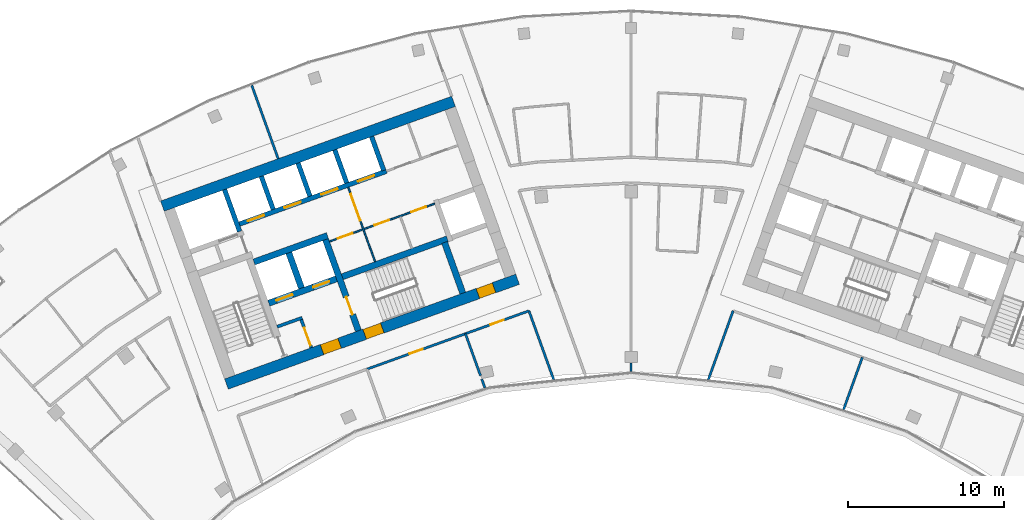
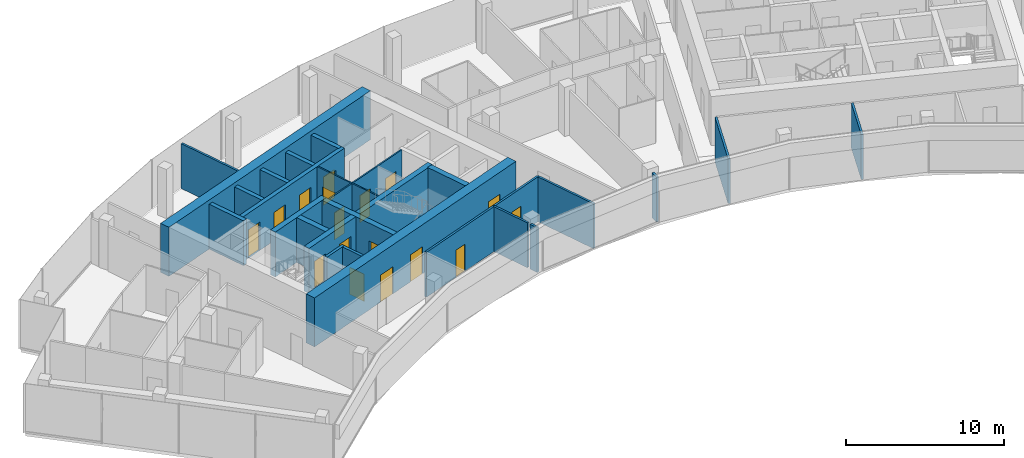
# One storey, part 13 of 18: 26 walls, 17 doors, 17 openings.
"""IFC4 building model written with IfcOpenShell, lengths in metres."""

from ifc_helpers import new_model, si_unit, direction, frame, frame_2d, origin, place, context, subcontext, project, spatial, rectangle, extrude, material, layer, layer_set, type_object, element, fill, save


model = new_model("IFC4")

# Units and contexts
model_context = context("Model", 3, precision=1e-05, world=origin(), true_north=direction((0.0, 1.0)))
body_context = subcontext(model_context, "Body", "Model", "MODEL_VIEW")
ifc_project = project(units=[si_unit("LENGTHUNIT", "METRE"), si_unit("AREAUNIT", "SQUARE_METRE"), si_unit("VOLUMEUNIT", "CUBIC_METRE"), si_unit("PLANEANGLEUNIT", "RADIAN"), si_unit("MASSUNIT", "GRAM", prefix="KILO")], contexts=[model_context])

# Site, building, storey
site_placement = place(None, origin())
site = spatial("IfcSite", under=ifc_project, at=site_placement, CompositionType="ELEMENT")
building_placement = place(site_placement, origin())
building = spatial("IfcBuilding", under=site, at=building_placement, Name="Stone Belt Terrace Tower", CompositionType="ELEMENT")
storey_placement = place(building_placement, frame((0.0, 0.0, 277.0)))
storey = spatial("IfcBuildingStorey", under=building, at=storey_placement, Name="L67", CompositionType="ELEMENT", Elevation=277.0)

# Wall, openings, doors
ifc_material_1 = material(Name="Plasterboard partition")
ifc_layer_1 = layer(ifc_material_1, 0.10009765625)
ifc_layer_set_1 = layer_set([ifc_layer_1], Name="Core partition 100")
wall_type_1 = type_object("IfcWallType", Name="Core partition 100", PredefinedType="PARTITIONING", material=ifc_layer_set_1)
wall_1_placement = place(storey_placement, frame((-19.29052734375, 51.829833984375, 0.0), z_axis=(0.0, 0.0, 1.0), x_axis=(0.94092179465, 0.338623945331, 0.0)))
wall_1 = element("IfcWall", 1, at=wall_1_placement, inside=storey, type_object=wall_type_1, Name="Core A wall", PredefinedType="PARTITIONING", context=body_context, shape_type="SweptSolid", body=[
    extrude(rectangle(XDim=7.14990234375, YDim=0.10009765625, at=frame_2d((3.574951171875, 0.0))), origin(), (0.0, 0.0, 1.0), 3.47998046875),
])
opening_1_placement = place(wall_1_placement, frame((0.550048828125, 0.0, 0.0)))
opening_1 = element("IfcOpeningElement", 2, at=opening_1_placement, cuts=wall_1, Name="Opening L67-C03", PredefinedType="OPENING", context=body_context, shape_type="SweptSolid", body=[
    extrude(rectangle(XDim=1.0, YDim=2.10009765625, at=frame_2d((0.5, 1.050048828125))), frame((0.0, 0.06005859375, 0.0), z_axis=(0.0, -1.0, 0.0), x_axis=(1.0, 0.0, 0.0)), (0.0, 0.0, 1.0), 0.1201171875),
])
opening_2_placement = place(wall_1_placement, frame((3.050048828125, 0.0, 0.0)))
opening_2 = element("IfcOpeningElement", 3, at=opening_2_placement, cuts=wall_1, Name="Opening L67-C04", PredefinedType="OPENING", context=body_context, shape_type="SweptSolid", body=[
    extrude(rectangle(XDim=1.0, YDim=2.10009765625, at=frame_2d((0.5, 1.050048828125))), frame((0.0, 0.06005859375, 0.0), z_axis=(0.0, -1.0, 0.0), x_axis=(1.0, 0.0, 0.0)), (0.0, 0.0, 1.0), 0.1201171875),
])
opening_3_placement = place(wall_1_placement, frame((5.550048828125, 0.0, 0.0)))
opening_3 = element("IfcOpeningElement", 4, at=opening_3_placement, cuts=wall_1, Name="Opening L67-C05", PredefinedType="OPENING", context=body_context, shape_type="SweptSolid", body=[
    extrude(rectangle(XDim=1.0, YDim=2.10009765625, at=frame_2d((0.5, 1.050048828125))), frame((0.0, 0.06005859375, 0.0), z_axis=(0.0, -1.0, 0.0), x_axis=(1.0, 0.0, 0.0)), (0.0, 0.0, 1.0), 0.1201171875),
])
ifc_material_2 = material(Name="Timber door leaf", Category="wood")
door_type_1 = type_object("IfcDoorType", Name="Core room door 1000", OperationType="SINGLE_SWING_LEFT", PredefinedType="DOOR", material=ifc_material_2)
door_1_placement = place(opening_1_placement, origin())
door_1 = element("IfcDoor", 5, at=door_1_placement, inside=storey, type_object=door_type_1, Name="Door to Electrical room core A", OperationType="SINGLE_SWING_RIGHT", OverallHeight=2.10009765625, OverallWidth=1.0, PredefinedType="DOOR", context=body_context, shape_type="SweptSolid", body=[
    extrude(rectangle(XDim=1.0, YDim=2.10009765625, at=frame_2d((0.5, 1.050048828125))), frame((0.0, 0.02490234375, 0.0), z_axis=(0.0, -1.0, 0.0), x_axis=(1.0, 0.0, 0.0)), (0.0, 0.0, 1.0), 0.050048828125),
])
fill(opening_1, door_1)
door_2_placement = place(opening_2_placement, origin())
door_2 = element("IfcDoor", 6, at=door_2_placement, inside=storey, type_object=door_type_1, Name="Door to Ventilation plant room core A", OperationType="SINGLE_SWING_LEFT", OverallHeight=2.10009765625, OverallWidth=1.0, PredefinedType="DOOR", context=body_context, shape_type="SweptSolid", body=[
    extrude(rectangle(XDim=1.0, YDim=2.10009765625, at=frame_2d((0.5, 1.050048828125))), frame((0.0, 0.02490234375, 0.0), z_axis=(0.0, -1.0, 0.0), x_axis=(1.0, 0.0, 0.0)), (0.0, 0.0, 1.0), 0.050048828125),
])
fill(opening_2, door_2)
door_3_placement = place(opening_3_placement, origin())
door_3 = element("IfcDoor", 7, at=door_3_placement, inside=storey, type_object=door_type_1, Name="Door to Services store core A", OperationType="SINGLE_SWING_RIGHT", OverallHeight=2.10009765625, OverallWidth=1.0, PredefinedType="DOOR", context=body_context, shape_type="SweptSolid", body=[
    extrude(rectangle(XDim=1.0, YDim=2.10009765625, at=frame_2d((0.5, 1.050048828125))), frame((0.0, 0.02490234375, 0.0), z_axis=(0.0, -1.0, 0.0), x_axis=(1.0, 0.0, 0.0)), (0.0, 0.0, 1.0), 0.050048828125),
])
fill(opening_3, door_3)

# Wall, opening, door
wall_2_placement = place(storey_placement, frame((-16.38134765625, 50.53857421875, 0.0), z_axis=(0.0, 0.0, 1.0), x_axis=(-0.33860476744, 0.940928696271, 0.0)))
wall_2 = element("IfcWall", 8, at=wall_2_placement, inside=storey, type_object=wall_type_1, Name="Core A wall", PredefinedType="PARTITIONING", context=body_context, shape_type="SweptSolid", body=[
    extrude(rectangle(XDim=5.050048828125, YDim=0.10009765625, at=frame_2d((2.52490234375, 0.0))), origin(), (0.0, 0.0, 1.0), 3.47998046875),
])
opening_4_placement = place(wall_2_placement, frame((2.800048828125, 0.0, 0.0)))
opening_4 = element("IfcOpeningElement", 9, at=opening_4_placement, cuts=wall_2, Name="Opening L67-C08", PredefinedType="OPENING", context=body_context, shape_type="SweptSolid", body=[
    extrude(rectangle(XDim=1.800048828125, YDim=2.10009765625, at=frame_2d((0.89990234375, 1.050048828125))), frame((0.0, 0.06005859375, 0.0), z_axis=(0.0, -1.0, 0.0), x_axis=(1.0, 0.0, 0.0)), (0.0, 0.0, 1.0), 0.1201171875),
])
ifc_material_3 = material(Name="Glazed aluminium door leaf", Category="aluminium")
door_type_2 = type_object("IfcDoorType", Name="Lift lobby entrance door 1800", OperationType="DOUBLE_DOOR_SINGLE_SWING", PredefinedType="DOOR", material=ifc_material_3)
door_4_placement = place(opening_4_placement, origin())
door_4 = element("IfcDoor", 10, at=door_4_placement, inside=storey, type_object=door_type_2, Name="Lift lobby double door core A", OperationType="DOUBLE_DOOR_SINGLE_SWING", OverallHeight=2.10009765625, OverallWidth=1.800048828125, PredefinedType="DOOR", context=body_context, shape_type="SweptSolid", body=[
    extrude(rectangle(XDim=1.800048828125, YDim=2.10009765625, at=frame_2d((0.89990234375, 1.050048828125))), frame((0.0, 0.02490234375, 0.0), z_axis=(0.0, -1.0, 0.0), x_axis=(1.0, 0.0, 0.0)), (0.0, 0.0, 1.0), 0.050048828125),
])
fill(opening_4, door_4)

# Wall, openings, doors
ifc_material_4 = material(Name="Concrete B60", Category="concrete")
ifc_layer_2 = layer(ifc_material_4, 0.699951171875)
ifc_layer_set_2 = layer_set([ifc_layer_2], Name="Core wall 700 B60")
wall_type_2 = type_object("IfcWallType", Name="Core wall 700 B60", PredefinedType="SHEAR", material=ifc_layer_set_2)
wall_3_placement = place(storey_placement, frame((-25.890869140625, 42.705810546875, 0.0), z_axis=(0.0, 0.0, 1.0), x_axis=(0.940925130461, 0.338614676094, 0.0)))
wall_3 = element("IfcWall", 11, at=wall_3_placement, inside=storey, type_object=wall_type_2, Name="Core A wall concave L67", PredefinedType="SHEAR", context=body_context, shape_type="SweptSolid", body=[
    extrude(rectangle(XDim=19.800048828125, YDim=0.699951171875, at=frame_2d((9.89990234375, 0.0))), origin(), (0.0, 0.0, 1.0), 3.800048828125),
])
opening_5_placement = place(wall_3_placement, frame((6.5, 0.0, 0.0)))
opening_5 = element("IfcOpeningElement", 12, at=opening_5_placement, cuts=wall_3, Name="Opening L67-C12", PredefinedType="OPENING", context=body_context, shape_type="SweptSolid", body=[
    extrude(rectangle(XDim=1.199951171875, YDim=2.10009765625, at=frame_2d((0.60009765625, 1.050048828125))), frame((0.0, 0.35986328125, 0.0), z_axis=(0.0, -1.0, 0.0), x_axis=(1.0, 0.0, 0.0)), (0.0, 0.0, 1.0), 0.719970703125),
])
opening_6_placement = place(wall_3_placement, frame((9.39990234375, 0.0, 0.0)))
opening_6 = element("IfcOpeningElement", 13, at=opening_6_placement, cuts=wall_3, Name="Opening L67-C14", PredefinedType="OPENING", context=body_context, shape_type="SweptSolid", body=[
    extrude(rectangle(XDim=1.199951171875, YDim=2.10009765625, at=frame_2d((0.60009765625, 1.050048828125))), frame((0.0, 0.35986328125, 0.0), z_axis=(0.0, -1.0, 0.0), x_axis=(1.0, 0.0, 0.0)), (0.0, 0.0, 1.0), 0.719970703125),
])
opening_7_placement = place(wall_3_placement, frame((17.10009765625, 0.0, 0.0)))
opening_7 = element("IfcOpeningElement", 14, at=opening_7_placement, cuts=wall_3, Name="Opening L67-C16", PredefinedType="OPENING", context=body_context, shape_type="SweptSolid", body=[
    extrude(rectangle(XDim=1.10009765625, YDim=2.10009765625, at=frame_2d((0.550048828125, 1.050048828125))), frame((0.0, 0.35986328125, 0.0), z_axis=(0.0, -1.0, 0.0), x_axis=(1.0, 0.0, 0.0)), (0.0, 0.0, 1.0), 0.719970703125),
])
door_type_3 = type_object("IfcDoorType", Name="Core room door 1100", OperationType="SINGLE_SWING_LEFT", PredefinedType="DOOR", material=ifc_material_2)
door_5_placement = place(opening_7_placement, origin())
door_5 = element("IfcDoor", 15, at=door_5_placement, inside=storey, type_object=door_type_3, Name="Door to Pipe riser core A", OperationType="SINGLE_SWING_RIGHT", OverallHeight=2.10009765625, OverallWidth=1.10009765625, PredefinedType="DOOR", context=body_context, shape_type="SweptSolid", body=[
    extrude(rectangle(XDim=1.10009765625, YDim=2.10009765625, at=frame_2d((0.550048828125, 1.050048828125))), frame((0.0, 0.330078125, 0.0), z_axis=(0.0, -1.0, 0.0), x_axis=(1.0, 0.0, 0.0)), (0.0, 0.0, 1.0), 0.659912109375),
])
fill(opening_7, door_5)
ifc_material_5 = material(Name="Steel door leaf", Category="steel")
door_type_4 = type_object("IfcDoorType", Name="Fire-fighting lobby door 1200", OperationType="SINGLE_SWING_LEFT", PredefinedType="DOOR", material=ifc_material_5)
door_6_placement = place(opening_5_placement, origin())
door_6 = element("IfcDoor", 16, at=door_6_placement, inside=storey, type_object=door_type_4, Name="Fire-fighting lobby door core A", OperationType="SINGLE_SWING_RIGHT", OverallHeight=2.10009765625, OverallWidth=1.199951171875, PredefinedType="DOOR", context=body_context, shape_type="SweptSolid", body=[
    extrude(rectangle(XDim=1.199951171875, YDim=2.10009765625, at=frame_2d((0.60009765625, 1.050048828125))), frame((0.0, 0.330078125, 0.0), z_axis=(0.0, -1.0, 0.0), x_axis=(1.0, 0.0, 0.0)), (0.0, 0.0, 1.0), 0.659912109375),
])
fill(opening_5, door_6)
door_type_5 = type_object("IfcDoorType", Name="Stair door 1200", OperationType="SINGLE_SWING_LEFT", PredefinedType="DOOR", material=ifc_material_5)
door_7_placement = place(opening_6_placement, origin())
door_7 = element("IfcDoor", 17, at=door_7_placement, inside=storey, type_object=door_type_5, Name="Stair 2 exit door core A", OperationType="SINGLE_SWING_LEFT", OverallHeight=2.10009765625, OverallWidth=1.199951171875, PredefinedType="DOOR", context=body_context, shape_type="SweptSolid", body=[
    extrude(rectangle(XDim=1.199951171875, YDim=2.10009765625, at=frame_2d((0.60009765625, 1.050048828125))), frame((0.0, 0.330078125, 0.0), z_axis=(0.0, -1.0, 0.0), x_axis=(1.0, 0.0, 0.0)), (0.0, 0.0, 1.0), 0.659912109375),
])
fill(opening_6, door_7)

# Walls
wall_4_placement = place(storey_placement, frame((-29.988037109375, 54.0908203125, 0.0), z_axis=(0.0, 0.0, 1.0), x_axis=(0.940919787944, 0.33862952124, 0.0)))
element("IfcWall", 18, at=wall_4_placement, inside=storey, type_object=wall_type_2, Name="Core A wall convex L67", PredefinedType="SHEAR", context=body_context, shape_type="SweptSolid", body=[
    extrude(rectangle(XDim=19.7998046875, YDim=0.699951171875, at=frame_2d((9.89990234375, 0.0))), origin(), (0.0, 0.0, 1.0), 3.800048828125),
])
ifc_material_6 = material(Name="Concrete B80", Category="concrete")
ifc_layer_3 = layer(ifc_material_6, 0.39990234375)
ifc_layer_set_3 = layer_set([ifc_layer_3], Name="Fire-fighting lift shaft wall 400")
wall_type_3 = type_object("IfcWallType", Name="Fire-fighting lift shaft wall 400", PredefinedType="SHEAR", material=ifc_layer_set_3)
wall_5_placement = place(storey_placement, frame((-24.130615234375, 50.512939453125, 0.0), z_axis=(0.0, 0.0, 1.0), x_axis=(0.94091168377, 0.338652038744, 0.0)))
element("IfcWall", 19, at=wall_5_placement, inside=storey, type_object=wall_type_3, Name="Core A wall", PredefinedType="SHEAR", context=body_context, shape_type="SweptSolid", body=[
    extrude(rectangle(XDim=5.000244140625, YDim=0.39990234375, at=frame_2d((2.5, 0.0))), origin(), (0.0, 0.0, 1.0), 3.47998046875),
])
wall_6_placement = place(storey_placement, frame((-21.0859375, 48.845458984375, 0.0), z_axis=(0.0, 0.0, 1.0), x_axis=(-0.338629416206, 0.940919825745, 0.0)))
element("IfcWall", 20, at=wall_6_placement, inside=storey, type_object=wall_type_3, Name="Core A wall", PredefinedType="SHEAR", context=body_context, shape_type="SweptSolid", body=[
    extrude(rectangle(XDim=2.400146484375, YDim=0.39990234375, at=frame_2d((1.2001953125, 0.0))), origin(), (0.0, 0.0, 1.0), 3.47998046875),
])
ifc_layer_4 = layer(ifc_material_6, 0.300048828125)
ifc_layer_set_4 = layer_set([ifc_layer_4], Name="Lift shaft wall 300")
wall_type_4 = type_object("IfcWallType", Name="Lift shaft wall 300", PredefinedType="SHEAR", material=ifc_layer_set_4)
wall_7_placement = place(storey_placement, frame((-25.046875, 52.46826171875, 0.0), z_axis=(0.0, 0.0, 1.0), x_axis=(-0.338549588058, 0.940948551423, 0.0)))
element("IfcWall", 21, at=wall_7_placement, inside=storey, type_object=wall_type_4, Name="Core A wall", PredefinedType="SHEAR", context=body_context, shape_type="SweptSolid", body=[
    extrude(rectangle(XDim=2.849853515625, YDim=0.300048828125, at=frame_2d((1.4248046875, 0.0))), origin(), (0.0, 0.0, 1.0), 3.47998046875),
])

# Wall, openings, doors
wall_8_placement = place(storey_placement, frame((-25.05810546875, 52.9423828125, 0.0), z_axis=(0.0, 0.0, 1.0), x_axis=(0.940924441602, 0.338616590255, 0.0)))
wall_8 = element("IfcWall", 22, at=wall_8_placement, inside=storey, type_object=wall_type_4, Name="Core A wall", PredefinedType="SHEAR", context=body_context, shape_type="SweptSolid", body=[
    extrude(rectangle(XDim=10.000244140625, YDim=0.300048828125, at=frame_2d((5.0, 0.0))), origin(), (0.0, 0.0, 1.0), 3.47998046875),
])
opening_8_placement = place(wall_8_placement, frame((0.570068359375, 0.0, 0.0)))
opening_8 = element("IfcOpeningElement", 23, at=opening_8_placement, cuts=wall_8, Name="Opening L67-LD01", PredefinedType="OPENING", context=body_context, shape_type="SweptSolid", body=[
    extrude(rectangle(XDim=1.10009765625, YDim=2.199951171875, at=frame_2d((0.550048828125, 1.10009765625))), frame((0.0, 0.159912109375, 0.0), z_axis=(0.0, -1.0, 0.0), x_axis=(1.0, 0.0, 0.0)), (0.0, 0.0, 1.0), 0.320068359375),
])
opening_9_placement = place(wall_8_placement, frame((3.070068359375, 0.0, 0.0)))
opening_9 = element("IfcOpeningElement", 24, at=opening_9_placement, cuts=wall_8, Name="Opening L67-LD02", PredefinedType="OPENING", context=body_context, shape_type="SweptSolid", body=[
    extrude(rectangle(XDim=1.10009765625, YDim=2.199951171875, at=frame_2d((0.550048828125, 1.10009765625))), frame((0.0, 0.159912109375, 0.0), z_axis=(0.0, -1.0, 0.0), x_axis=(1.0, 0.0, 0.0)), (0.0, 0.0, 1.0), 0.320068359375),
])
opening_10_placement = place(wall_8_placement, frame((5.570068359375, 0.0, 0.0)))
opening_10 = element("IfcOpeningElement", 25, at=opening_10_placement, cuts=wall_8, Name="Opening L67-LD03", PredefinedType="OPENING", context=body_context, shape_type="SweptSolid", body=[
    extrude(rectangle(XDim=1.10009765625, YDim=2.199951171875, at=frame_2d((0.550048828125, 1.10009765625))), frame((0.0, 0.159912109375, 0.0), z_axis=(0.0, -1.0, 0.0), x_axis=(1.0, 0.0, 0.0)), (0.0, 0.0, 1.0), 0.320068359375),
])
opening_11_placement = place(wall_8_placement, frame((8.070068359375, 0.0, 0.0)))
opening_11 = element("IfcOpeningElement", 26, at=opening_11_placement, cuts=wall_8, Name="Opening L67-LD04", PredefinedType="OPENING", context=body_context, shape_type="SweptSolid", body=[
    extrude(rectangle(XDim=1.10009765625, YDim=2.199951171875, at=frame_2d((0.550048828125, 1.10009765625))), frame((0.0, 0.159912109375, 0.0), z_axis=(0.0, -1.0, 0.0), x_axis=(1.0, 0.0, 0.0)), (0.0, 0.0, 1.0), 0.320068359375),
])
ifc_material_7 = material(Name="Stainless steel door leaf", Category="steel")
door_type_6 = type_object("IfcDoorType", Name="Landing door 1100", OperationType="SLIDING_TO_LEFT", PredefinedType="DOOR", material=ifc_material_7)
door_8_placement = place(opening_8_placement, origin())
door_8 = element("IfcDoor", 27, at=door_8_placement, inside=storey, type_object=door_type_6, Name="Landing door HR1 core A", OperationType="SLIDING_TO_LEFT", OverallHeight=2.199951171875, OverallWidth=1.10009765625, PredefinedType="DOOR", context=body_context, shape_type="SweptSolid", body=[
    extrude(rectangle(XDim=1.10009765625, YDim=2.199951171875, at=frame_2d((0.550048828125, 1.10009765625))), frame((0.0, 0.02490234375, 0.0), z_axis=(0.0, -1.0, 0.0), x_axis=(1.0, 0.0, 0.0)), (0.0, 0.0, 1.0), 0.050048828125),
])
fill(opening_8, door_8)
door_9_placement = place(opening_9_placement, origin())
door_9 = element("IfcDoor", 28, at=door_9_placement, inside=storey, type_object=door_type_6, Name="Landing door HR2 core A", OperationType="SLIDING_TO_LEFT", OverallHeight=2.199951171875, OverallWidth=1.10009765625, PredefinedType="DOOR", context=body_context, shape_type="SweptSolid", body=[
    extrude(rectangle(XDim=1.10009765625, YDim=2.199951171875, at=frame_2d((0.550048828125, 1.10009765625))), frame((0.0, 0.02490234375, 0.0), z_axis=(0.0, -1.0, 0.0), x_axis=(1.0, 0.0, 0.0)), (0.0, 0.0, 1.0), 0.050048828125),
])
fill(opening_9, door_9)
door_10_placement = place(opening_10_placement, origin())
door_10 = element("IfcDoor", 29, at=door_10_placement, inside=storey, type_object=door_type_6, Name="Landing door HR3 core A", OperationType="SLIDING_TO_LEFT", OverallHeight=2.199951171875, OverallWidth=1.10009765625, PredefinedType="DOOR", context=body_context, shape_type="SweptSolid", body=[
    extrude(rectangle(XDim=1.10009765625, YDim=2.199951171875, at=frame_2d((0.550048828125, 1.10009765625))), frame((0.0, 0.02490234375, 0.0), z_axis=(0.0, -1.0, 0.0), x_axis=(1.0, 0.0, 0.0)), (0.0, 0.0, 1.0), 0.050048828125),
])
fill(opening_10, door_10)
door_11_placement = place(opening_11_placement, origin())
door_11 = element("IfcDoor", 30, at=door_11_placement, inside=storey, type_object=door_type_6, Name="Landing door HR4 core A", OperationType="SLIDING_TO_LEFT", OverallHeight=2.199951171875, OverallWidth=1.10009765625, PredefinedType="DOOR", context=body_context, shape_type="SweptSolid", body=[
    extrude(rectangle(XDim=1.10009765625, YDim=2.199951171875, at=frame_2d((0.550048828125, 1.10009765625))), frame((0.0, 0.02490234375, 0.0), z_axis=(0.0, -1.0, 0.0), x_axis=(1.0, 0.0, 0.0)), (0.0, 0.0, 1.0), 0.050048828125),
])
fill(opening_11, door_11)

# Walls
wall_9_placement = place(storey_placement, frame((-22.897705078125, 53.87939453125, 0.0), z_axis=(0.0, 0.0, 1.0), x_axis=(-0.338535034312, 0.940953787677, 0.0)))
element("IfcWall", 31, at=wall_9_placement, inside=storey, type_object=wall_type_4, Name="Core A wall", PredefinedType="SHEAR", context=body_context, shape_type="SweptSolid", body=[
    extrude(rectangle(XDim=2.25, YDim=0.300048828125, at=frame_2d((1.125, 0.0))), origin(), (0.0, 0.0, 1.0), 3.47998046875),
])
wall_10_placement = place(storey_placement, frame((-20.54541015625, 54.72607421875, 0.0), z_axis=(0.0, 0.0, 1.0), x_axis=(-0.338569601369, 0.940941350472, 0.0)))
element("IfcWall", 32, at=wall_10_placement, inside=storey, type_object=wall_type_4, Name="Core A wall", PredefinedType="SHEAR", context=body_context, shape_type="SweptSolid", body=[
    extrude(rectangle(XDim=2.249755859375, YDim=0.300048828125, at=frame_2d((1.125, 0.0))), origin(), (0.0, 0.0, 1.0), 3.47998046875),
])
wall_11_placement = place(storey_placement, frame((-18.193115234375, 55.572509765625, 0.0), z_axis=(0.0, 0.0, 1.0), x_axis=(-0.338535034312, 0.940953787677, 0.0)))
element("IfcWall", 33, at=wall_11_placement, inside=storey, type_object=wall_type_4, Name="Core A wall", PredefinedType="SHEAR", context=body_context, shape_type="SweptSolid", body=[
    extrude(rectangle(XDim=2.25, YDim=0.300048828125, at=frame_2d((1.125, 0.0))), origin(), (0.0, 0.0, 1.0), 3.47998046875),
])
wall_12_placement = place(storey_placement, frame((-15.82373046875, 56.3720703125, 0.0), z_axis=(0.0, 0.0, 1.0), x_axis=(-0.338621735342, 0.94092258999, 0.0)))
element("IfcWall", 34, at=wall_12_placement, inside=storey, type_object=wall_type_4, Name="Core A wall", PredefinedType="SHEAR", context=body_context, shape_type="SweptSolid", body=[
    extrude(rectangle(XDim=2.300048828125, YDim=0.300048828125, at=frame_2d((1.14990234375, 0.0))), origin(), (0.0, 0.0, 1.0), 3.47998046875),
])
ifc_material_8 = material(Name="Gypsum board partition")
ifc_layer_5 = layer(ifc_material_8, 0.14990234375)
ifc_layer_set_5 = layer_set([ifc_layer_5], Name="PARTITION 150 EI 60")
wall_type_5 = type_object("IfcWallType", Name="PARTITION 150 EI 60", PredefinedType="PARTITIONING", material=ifc_layer_set_5)
wall_13_placement = place(storey_placement, frame((-4.9462890625, 42.980224609375, 0.0), z_axis=(0.0, 0.0, 1.0), x_axis=(-0.338653121837, 0.940911293943, 0.0)))
element("IfcWall", 35, at=wall_13_placement, inside=storey, type_object=wall_type_5, Name="L67/wall/i007", PredefinedType="PARTITIONING", context=body_context, shape_type="SweptSolid", body=[
    extrude(rectangle(XDim=4.69091796875, YDim=0.14990234375, at=frame_2d((2.345458984375, 0.0))), origin(), (0.0, 0.0, 1.0), 3.47998046875),
])

# Wall, opening, door
wall_14_placement = place(storey_placement, frame((-10.591064453125, 45.927001953125, 0.0), z_axis=(0.0, 0.0, 1.0), x_axis=(-0.940955650119, -0.338529857632, 0.0)))
wall_14 = element("IfcWall", 36, at=wall_14_placement, inside=storey, type_object=wall_type_5, Name="L67/wall/i012", PredefinedType="PARTITIONING", context=body_context, shape_type="SweptSolid", body=[
    extrude(rectangle(XDim=6.70263671875, YDim=0.14990234375, at=frame_2d((3.351318359375, 0.0))), origin(), (0.0, 0.0, 1.0), 3.47998046875),
])
opening_12_placement = place(wall_14_placement, frame((2.9013671875, 0.0, 0.0)))
opening_12 = element("IfcOpeningElement", 37, at=opening_12_placement, cuts=wall_14, Name="Opening D-E2-02", PredefinedType="OPENING", context=body_context, shape_type="SweptSolid", body=[
    extrude(rectangle(XDim=0.89990234375, YDim=2.10009765625, at=frame_2d((0.449951171875, 1.050048828125))), frame((0.0, 0.0849609375, 0.0), z_axis=(0.0, -1.0, 0.0), x_axis=(1.0, 0.0, 0.0)), (0.0, 0.0, 1.0), 0.169921875),
])
door_type_7 = type_object("IfcDoorType", Name="OFFICE DOOR 900 X 2100", OperationType="NOTDEFINED", PredefinedType="DOOR", material=ifc_material_2)
door_12_placement = place(opening_12_placement, origin())
door_12 = element("IfcDoor", 38, at=door_12_placement, inside=storey, type_object=door_type_7, Name="L67/door/i02", OperationType="SINGLE_SWING_RIGHT", OverallHeight=2.10009765625, OverallWidth=0.89990234375, PredefinedType="DOOR", context=body_context, shape_type="SweptSolid", body=[
    extrude(rectangle(XDim=0.89990234375, YDim=2.10009765625, at=frame_2d((0.449951171875, 1.050048828125))), frame((0.0, 0.02490234375, 0.0), z_axis=(0.0, -1.0, 0.0), x_axis=(1.0, 0.0, 0.0)), (0.0, 0.0, 1.0), 0.050048828125),
])
fill(opening_12, door_12)

wall_15_placement = place(storey_placement, frame((-6.532958984375, 47.387939453125, 0.0), z_axis=(0.0, 0.0, 1.0), x_axis=(-0.94091546888, -0.338641522001, 0.0)))
wall_15 = element("IfcWall", 39, at=wall_15_placement, inside=storey, type_object=wall_type_5, Name="L67/wall/i013", PredefinedType="PARTITIONING", context=body_context, shape_type="SweptSolid", body=[
    extrude(rectangle(XDim=4.32568359375, YDim=0.14990234375, at=frame_2d((2.162841796875, 0.0))), origin(), (0.0, 0.0, 1.0), 3.47998046875),
])
opening_13_placement = place(wall_15_placement, frame((1.712890625, 0.0, 0.0)))
opening_13 = element("IfcOpeningElement", 40, at=opening_13_placement, cuts=wall_15, Name="Opening D-E2-03", PredefinedType="OPENING", context=body_context, shape_type="SweptSolid", body=[
    extrude(rectangle(XDim=0.89990234375, YDim=2.10009765625, at=frame_2d((0.449951171875, 1.050048828125))), frame((0.0, 0.0849609375, 0.0), z_axis=(0.0, -1.0, 0.0), x_axis=(1.0, 0.0, 0.0)), (0.0, 0.0, 1.0), 0.169921875),
])
door_13_placement = place(opening_13_placement, origin())
door_13 = element("IfcDoor", 41, at=door_13_placement, inside=storey, type_object=door_type_7, Name="L67/door/i03", OperationType="SINGLE_SWING_RIGHT", OverallHeight=2.10009765625, OverallWidth=0.89990234375, PredefinedType="DOOR", context=body_context, shape_type="SweptSolid", body=[
    extrude(rectangle(XDim=0.89990234375, YDim=2.10009765625, at=frame_2d((0.449951171875, 1.050048828125))), frame((0.0, 0.02490234375, 0.0), z_axis=(0.0, -1.0, 0.0), x_axis=(1.0, 0.0, 0.0)), (0.0, 0.0, 1.0), 0.050048828125),
])
fill(opening_13, door_13)

# Walls
wall_16_placement = place(storey_placement, frame((-10.596923828125, 45.925048828125, 0.0), z_axis=(0.0, 0.0, 1.0), x_axis=(0.338677047669, -0.940902682206, 0.0)))
element("IfcWall", 42, at=wall_16_placement, inside=storey, type_object=wall_type_5, Name="L67/wall/i015", PredefinedType="PARTITIONING", context=body_context, shape_type="SweptSolid", body=[
    extrude(rectangle(XDim=2.853271484375, YDim=0.14990234375, at=frame_2d((1.4267578125, 0.0))), origin(), (0.0, 0.0, 1.0), 3.47998046875),
])
wall_17_placement = place(storey_placement, frame((-9.551025390625, 43.019287109375, 0.0), z_axis=(0.0, 0.0, 1.0), x_axis=(0.338837242168, -0.94084500494, 0.0)))
element("IfcWall", 43, at=wall_17_placement, inside=storey, type_object=wall_type_5, Name="L67/wall/i016", PredefinedType="PARTITIONING", context=body_context, shape_type="SweptSolid", body=[
    extrude(rectangle(XDim=0.587158203125, YDim=0.14990234375, at=frame_2d((0.29345703125, 0.0))), origin(), (0.0, 0.0, 1.0), 3.47998046875),
])
wall_18_placement = place(storey_placement, frame((-24.268798828125, 61.817138671875, 0.0), z_axis=(0.0, 0.0, 1.0), x_axis=(0.338715998231, -0.940888661077, 0.0)))
element("IfcWall", 44, at=wall_18_placement, inside=storey, type_object=wall_type_5, Name="L67/wall/i017", PredefinedType="PARTITIONING", context=body_context, shape_type="SweptSolid", body=[
    extrude(rectangle(XDim=4.982666015625, YDim=0.14990234375, at=frame_2d((2.4912109375, 0.0))), origin(), (0.0, 0.0, 1.0), 3.47998046875),
])
wall_19_placement = place(storey_placement, frame((6.534912109375, 47.39404296875, 0.0), z_axis=(0.0, 0.0, 1.0), x_axis=(-0.338653121837, -0.940911293943, 0.0)))
element("IfcWall", 45, at=wall_19_placement, inside=storey, type_object=wall_type_5, Name="L67/wall/i018", PredefinedType="PARTITIONING", context=body_context, shape_type="SweptSolid", body=[
    extrude(rectangle(XDim=4.69091796875, YDim=0.14990234375, at=frame_2d((2.345458984375, 0.0))), origin(), (0.0, 0.0, 1.0), 3.47998046875),
])
wall_20_placement = place(storey_placement, frame((14.802978515625, 44.410888671875, 0.0), z_axis=(0.0, 0.0, 1.0), x_axis=(-0.338738940611, -0.940880401599, 0.0)))
element("IfcWall", 46, at=wall_20_placement, inside=storey, type_object=wall_type_5, Name="L67/wall/i033", PredefinedType="PARTITIONING", context=body_context, shape_type="SweptSolid", body=[
    extrude(rectangle(XDim=3.5517578125, YDim=0.14990234375, at=frame_2d((1.77587890625, 0.0))), origin(), (0.0, 0.0, 1.0), 3.47998046875),
])
wall_21_placement = place(storey_placement, frame((0.0, 44.06494140625, 0.0), z_axis=(0.0, 0.0, 1.0), x_axis=(0.0, -1.0, 0.0)))
element("IfcWall", 47, at=wall_21_placement, inside=storey, type_object=wall_type_5, Name="L67/wall/i102", PredefinedType="PARTITIONING", context=body_context, shape_type="SweptSolid", body=[
    extrude(rectangle(XDim=0.56494140625, YDim=0.14990234375, at=frame_2d((0.282470703125, 0.0))), origin(), (0.0, 0.0, 1.0), 3.47998046875),
])
ifc_material_9 = material(Name="Concrete masonry block", Category="masonry")
ifc_layer_6 = layer(ifc_material_9, 0.199951171875)
ifc_layer_set_6 = layer_set([ifc_layer_6], Name="Rated lobby wall 200")
wall_type_6 = type_object("IfcWallType", Name="Rated lobby wall 200", PredefinedType="PARTITIONING", material=ifc_layer_set_6)
wall_22_placement = place(storey_placement, frame((-22.640625, 46.373046875, 0.0), z_axis=(0.0, 0.0, 1.0), x_axis=(0.940966110313, 0.338500781747, 0.0)))
element("IfcWall", 48, at=wall_22_placement, inside=storey, type_object=wall_type_6, Name="Core A wall", PredefinedType="PARTITIONING", context=body_context, shape_type="SweptSolid", body=[
    extrude(rectangle(XDim=1.699951171875, YDim=0.199951171875, at=frame_2d((0.85009765625, 0.0))), origin(), (0.0, 0.0, 1.0), 3.47998046875),
])

# Wall, opening, door
wall_23_placement = place(storey_placement, frame((-20.4580078125, 45.032958984375, 0.0), z_axis=(0.0, 0.0, 1.0), x_axis=(-0.338573865316, 0.940939816208, 0.0)))
wall_23 = element("IfcWall", 49, at=wall_23_placement, inside=storey, type_object=wall_type_6, Name="Core A wall", PredefinedType="PARTITIONING", context=body_context, shape_type="SweptSolid", body=[
    extrude(rectangle(XDim=1.900146484375, YDim=0.199951171875, at=frame_2d((0.9501953125, 0.0))), origin(), (0.0, 0.0, 1.0), 3.47998046875),
])
opening_14_placement = place(wall_23_placement, frame((0.14990234375, 0.0, 0.0)))
opening_14 = element("IfcOpeningElement", 50, at=opening_14_placement, cuts=wall_23, Name="Opening L67-C11", PredefinedType="OPENING", context=body_context, shape_type="SweptSolid", body=[
    extrude(rectangle(XDim=1.199951171875, YDim=2.10009765625, at=frame_2d((0.60009765625, 1.050048828125))), frame((0.0, 0.10986328125, 0.0), z_axis=(0.0, -1.0, 0.0), x_axis=(1.0, 0.0, 0.0)), (0.0, 0.0, 1.0), 0.219970703125),
])
door_14_placement = place(opening_14_placement, origin())
door_14 = element("IfcDoor", 51, at=door_14_placement, inside=storey, type_object=door_type_5, Name="Stair airlock door core A", OperationType="SINGLE_SWING_RIGHT", OverallHeight=2.10009765625, OverallWidth=1.199951171875, PredefinedType="DOOR", context=body_context, shape_type="SweptSolid", body=[
    extrude(rectangle(XDim=1.199951171875, YDim=2.10009765625, at=frame_2d((0.60009765625, 1.050048828125))), frame((0.0, 0.02490234375, 0.0), z_axis=(0.0, -1.0, 0.0), x_axis=(1.0, 0.0, 0.0)), (0.0, 0.0, 1.0), 0.050048828125),
])
fill(opening_14, door_14)

# Wall, openings, doors
ifc_layer_7 = layer(ifc_material_6, 0.39990234375)
ifc_layer_set_7 = layer_set([ifc_layer_7], Name="Stair enclosure wall 400")
wall_type_7 = type_object("IfcWallType", Name="Stair enclosure wall 400", PredefinedType="SHEAR", material=ifc_layer_set_7)
wall_24_placement = place(storey_placement, frame((-23.182373046875, 47.87841796875, 0.0), z_axis=(0.0, 0.0, 1.0), x_axis=(0.940921731919, 0.338624119641, 0.0)))
wall_24 = element("IfcWall", 52, at=wall_24_placement, inside=storey, type_object=wall_type_7, Name="Core A wall", PredefinedType="SHEAR", context=body_context, shape_type="SweptSolid", body=[
    extrude(rectangle(XDim=12.14990234375, YDim=0.39990234375, at=frame_2d((6.074951171875, 0.0))), origin(), (0.0, 0.0, 1.0), 3.47998046875),
])
opening_15_placement = place(wall_24_placement, frame((0.52001953125, 0.0, 0.0)))
opening_15 = element("IfcOpeningElement", 53, at=opening_15_placement, cuts=wall_24, Name="Opening L67-LD05", PredefinedType="OPENING", context=body_context, shape_type="SweptSolid", body=[
    extrude(rectangle(XDim=1.10009765625, YDim=2.199951171875, at=frame_2d((0.550048828125, 1.10009765625))), frame((0.0, 0.2099609375, 0.0), z_axis=(0.0, -1.0, 0.0), x_axis=(1.0, 0.0, 0.0)), (0.0, 0.0, 1.0), 0.419921875),
])
opening_16_placement = place(wall_24_placement, frame((3.02001953125, 0.0, 0.0)))
opening_16 = element("IfcOpeningElement", 54, at=opening_16_placement, cuts=wall_24, Name="Opening L67-LD06", PredefinedType="OPENING", context=body_context, shape_type="SweptSolid", body=[
    extrude(rectangle(XDim=1.10009765625, YDim=2.199951171875, at=frame_2d((0.550048828125, 1.10009765625))), frame((0.0, 0.2099609375, 0.0), z_axis=(0.0, -1.0, 0.0), x_axis=(1.0, 0.0, 0.0)), (0.0, 0.0, 1.0), 0.419921875),
])
door_15_placement = place(opening_15_placement, origin())
door_15 = element("IfcDoor", 55, at=door_15_placement, inside=storey, type_object=door_type_6, Name="Landing door FF1 core A", OperationType="SLIDING_TO_LEFT", OverallHeight=2.199951171875, OverallWidth=1.10009765625, PredefinedType="DOOR", context=body_context, shape_type="SweptSolid", body=[
    extrude(rectangle(XDim=1.10009765625, YDim=2.199951171875, at=frame_2d((0.550048828125, 1.10009765625))), frame((0.0, 0.02490234375, 0.0), z_axis=(0.0, -1.0, 0.0), x_axis=(1.0, 0.0, 0.0)), (0.0, 0.0, 1.0), 0.050048828125),
])
fill(opening_15, door_15)
door_16_placement = place(opening_16_placement, origin())
door_16 = element("IfcDoor", 56, at=door_16_placement, inside=storey, type_object=door_type_6, Name="Landing door FF2 core A", OperationType="SLIDING_TO_LEFT", OverallHeight=2.199951171875, OverallWidth=1.10009765625, PredefinedType="DOOR", context=body_context, shape_type="SweptSolid", body=[
    extrude(rectangle(XDim=1.10009765625, YDim=2.199951171875, at=frame_2d((0.550048828125, 1.10009765625))), frame((0.0, 0.02490234375, 0.0), z_axis=(0.0, -1.0, 0.0), x_axis=(1.0, 0.0, 0.0)), (0.0, 0.0, 1.0), 0.050048828125),
])
fill(opening_16, door_16)

# Wall, opening, door
wall_25_placement = place(storey_placement, frame((-17.447021484375, 46.116455078125, 0.0), z_axis=(0.0, 0.0, 1.0), x_axis=(-0.33860791464, 0.940927563707, 0.0)))
wall_25 = element("IfcWall", 57, at=wall_25_placement, inside=storey, type_object=wall_type_7, Name="Core A wall", PredefinedType="SHEAR", context=body_context, shape_type="SweptSolid", body=[
    extrude(rectangle(XDim=6.199951171875, YDim=0.39990234375, at=frame_2d((3.10009765625, 0.0))), origin(), (0.0, 0.0, 1.0), 3.47998046875),
])
opening_17_placement = place(wall_25_placement, frame((1.10009765625, 0.0, 0.0)))
opening_17 = element("IfcOpeningElement", 58, at=opening_17_placement, cuts=wall_25, Name="Opening L67-C13", PredefinedType="OPENING", context=body_context, shape_type="SweptSolid", body=[
    extrude(rectangle(XDim=1.199951171875, YDim=2.10009765625, at=frame_2d((0.60009765625, 1.050048828125))), frame((0.0, 0.2099609375, 0.0), z_axis=(0.0, -1.0, 0.0), x_axis=(1.0, 0.0, 0.0)), (0.0, 0.0, 1.0), 0.419921875),
])
door_17_placement = place(opening_17_placement, origin())
door_17 = element("IfcDoor", 59, at=door_17_placement, inside=storey, type_object=door_type_5, Name="Stair 2 door core A", OperationType="SINGLE_SWING_RIGHT", OverallHeight=2.10009765625, OverallWidth=1.199951171875, PredefinedType="DOOR", context=body_context, shape_type="SweptSolid", body=[
    extrude(rectangle(XDim=1.199951171875, YDim=2.10009765625, at=frame_2d((0.60009765625, 1.050048828125))), frame((0.0, 0.02490234375, 0.0), z_axis=(0.0, -1.0, 0.0), x_axis=(1.0, 0.0, 0.0)), (0.0, 0.0, 1.0), 0.050048828125),
])
fill(opening_17, door_17)

# Wall
wall_26_placement = place(storey_placement, frame((-10.766357421875, 48.520751953125, 0.0), z_axis=(0.0, 0.0, 1.0), x_axis=(-0.338621735342, 0.94092258999, 0.0)))
element("IfcWall", 60, at=wall_26_placement, inside=storey, type_object=wall_type_7, Name="Core A wall", PredefinedType="SHEAR", context=body_context, shape_type="SweptSolid", body=[
    extrude(rectangle(XDim=3.449951171875, YDim=0.39990234375, at=frame_2d((1.72509765625, 0.0))), origin(), (0.0, 0.0, 1.0), 3.47998046875),
])

save(model, "model.ifc")
